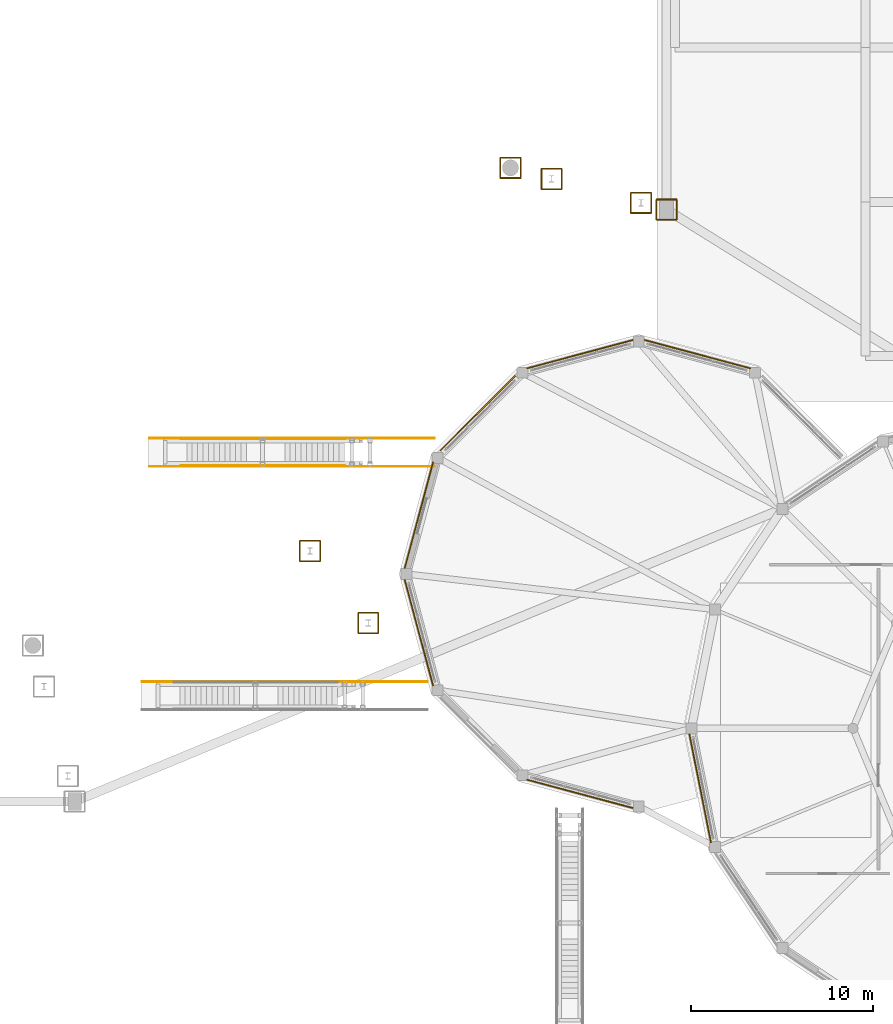
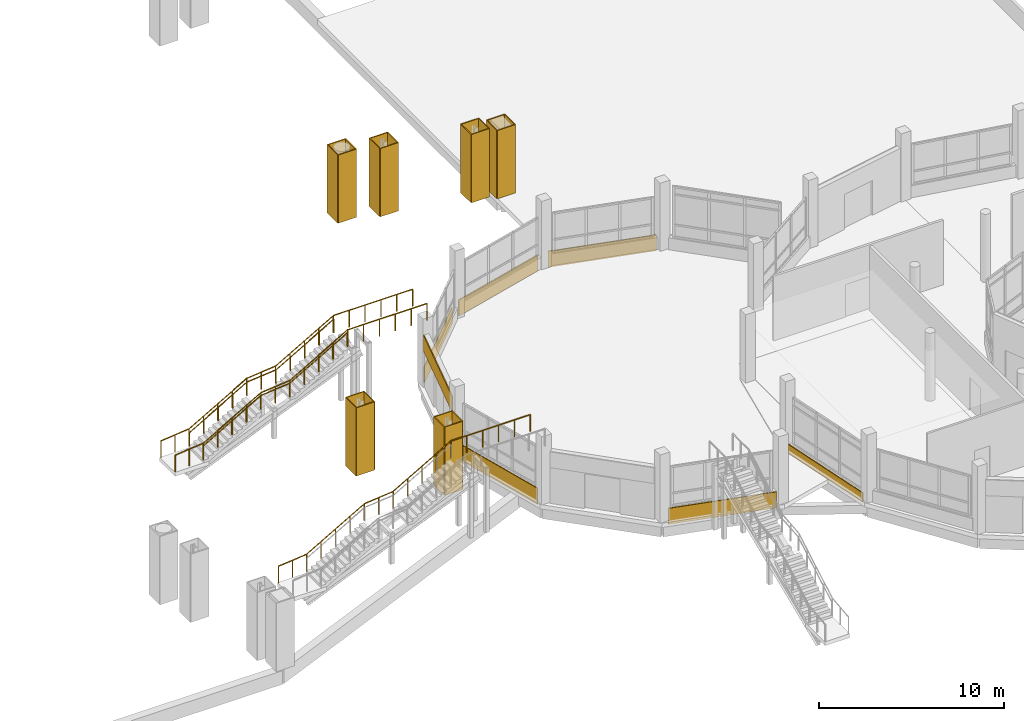
# One storey, part 120 of 129: 31 coverings, 5 railings.
"""IFC4 building model written with IfcOpenShell, lengths in metres."""

from ifc_helpers import new_model, si_unit, direction, frame, frame_2d, origin, origin_2d, place, context, subcontext, project, spatial, rectangle, circle, extrude, material, layer, layer_set, type_object, element, save


model = new_model("IFC4")

# Units and contexts
model_context = context("Model", 3, precision=1e-05, world=origin(), true_north=direction((0.0, 1.0)))
body_context = subcontext(model_context, "Body", "Model", "MODEL_VIEW")
ifc_project = project(units=[si_unit("LENGTHUNIT", "METRE"), si_unit("AREAUNIT", "SQUARE_METRE"), si_unit("VOLUMEUNIT", "CUBIC_METRE"), si_unit("PLANEANGLEUNIT", "RADIAN"), si_unit("MASSUNIT", "GRAM", prefix="KILO")], contexts=[model_context])

# Site, building, storey
site_placement = place(None, origin())
site = spatial("IfcSite", under=ifc_project, at=site_placement, CompositionType="ELEMENT")
building_placement = place(site_placement, origin())
building = spatial("IfcBuilding", under=site, at=building_placement, Name="Vespera Passage Community Centre", CompositionType="ELEMENT")
storey_placement = place(building_placement, origin())
storey = spatial("IfcBuildingStorey", under=building, at=storey_placement, Name="L00", CompositionType="ELEMENT", Elevation=0.0)

# Coverings
ifc_material_1 = material(Name="Precast concrete f'c 40 MPa", Category="concrete")
ifc_layer = layer(ifc_material_1, 0.06005859375)
ifc_layer_set = layer_set([ifc_layer], Name="Precast concrete f'c 40 MPa")
covering_type = type_object("IfcCoveringType", Name="COV-CLAD-60E", PredefinedType="CLADDING", material=ifc_layer_set)
for number, where, z_axis, x_axis, name in (
    (1, (105.539306640625, 30.240478515625, 0.0), (0.0, 0.0, 1.0), (1.0, 0.0, 0.0), "Pylon 20.6 TO L00 White Architectural Casing 1"),
    (2, (106.6591796875, 30.240478515625, 0.0), (0.0, 0.0, 1.0), (0.0, 1.0, 0.0), "Pylon 20.6 TO L00 White Architectural Casing 2"),
    (3, (106.6591796875, 31.3603515625, 0.0), (0.0, 0.0, 1.0), (-1.0, 0.0, 0.0), "Pylon 20.6 TO L00 White Architectural Casing 3"),
    (4, (105.539306640625, 31.3603515625, 0.0), (0.0, 0.0, 1.0), (0.0, -1.0, 0.0), "Pylon 20.6 TO L00 White Architectural Casing 4"),
):
    element("IfcCovering", number, at=place(storey_placement, frame(where, z_axis=z_axis, x_axis=x_axis)), inside=storey, type_object=covering_type, Name=name, PredefinedType="CLADDING", context=body_context, shape_type="SweptSolid", body=[
        extrude(rectangle(XDim=1.119873046875, YDim=0.06005859375, at=frame_2d((0.56005859375, 0.0))), origin(), (0.0, 0.0, 1.0), 4.5),
    ])
for number, where, z_axis, x_axis, name in (
    (5, (102.32958984375, 34.203857421875, 0.0), (0.0, 0.0, 1.0), (1.0, 0.0, 0.0), "Pylon 20.6 TI L00 White Architectural Casing 1"),
    (6, (103.44970703125, 34.203857421875, 0.0), (0.0, 0.0, 1.0), (0.0, 1.0, 0.0), "Pylon 20.6 TI L00 White Architectural Casing 2"),
    (7, (103.44970703125, 35.323974609375, 0.0), (0.0, 0.0, 1.0), (-1.0, 0.0, 0.0), "Pylon 20.6 TI L00 White Architectural Casing 3"),
    (8, (102.32958984375, 35.323974609375, 0.0), (0.0, 0.0, 1.0), (0.0, -1.0, 0.0), "Pylon 20.6 TI L00 White Architectural Casing 4"),
):
    element("IfcCovering", number, at=place(storey_placement, frame(where, z_axis=z_axis, x_axis=x_axis)), inside=storey, type_object=covering_type, Name=name, PredefinedType="CLADDING", context=body_context, shape_type="SweptSolid", body=[
        extrude(rectangle(XDim=1.1201171875, YDim=0.06005859375, at=frame_2d((0.56005859375, 0.0))), origin(), (0.0, 0.0, 1.0), 4.5),
    ])
covering_1_placement = place(storey_placement, frame((121.96923828125, 53.00830078125, 0.0), z_axis=(0.0, 0.0, 1.0), x_axis=(1.0, 0.0, 0.0)))
element("IfcCovering", 9, at=covering_1_placement, inside=storey, type_object=covering_type, Name="Pylon 23.0 O L00 White Architectural Casing 1", PredefinedType="CLADDING", context=body_context, shape_type="SweptSolid", body=[
    extrude(rectangle(XDim=1.119873046875, YDim=0.06005859375, at=frame_2d((0.56005859375, 0.0))), origin(), (0.0, 0.0, 1.0), 4.5),
])
covering_2_placement = place(storey_placement, frame((123.089111328125, 53.00830078125, 0.0), z_axis=(0.0, 0.0, 1.0), x_axis=(0.0, 1.0, 0.0)))
element("IfcCovering", 10, at=covering_2_placement, inside=storey, type_object=covering_type, Name="Pylon 23.0 O L00 White Architectural Casing 2", PredefinedType="CLADDING", context=body_context, shape_type="SweptSolid", body=[
    extrude(rectangle(XDim=1.1201171875, YDim=0.06005859375, at=frame_2d((0.56005859375, 0.0))), origin(), (0.0, 0.0, 1.0), 4.5),
])
covering_3_placement = place(storey_placement, frame((123.089111328125, 54.12841796875, 0.0), z_axis=(0.0, 0.0, 1.0), x_axis=(-1.0, 0.0, 0.0)))
element("IfcCovering", 11, at=covering_3_placement, inside=storey, type_object=covering_type, Name="Pylon 23.0 O L00 White Architectural Casing 3", PredefinedType="CLADDING", context=body_context, shape_type="SweptSolid", body=[
    extrude(rectangle(XDim=1.119873046875, YDim=0.06005859375, at=frame_2d((0.56005859375, 0.0))), origin(), (0.0, 0.0, 1.0), 4.5),
])
for number, where, z_axis, x_axis, name in (
    (12, (121.96923828125, 54.12841796875, 0.0), (0.0, 0.0, 1.0), (0.0, -1.0, 0.0), "Pylon 23.0 O L00 White Architectural Casing 4"),
    (13, (113.372314453125, 55.31201171875, 0.0), (0.0, 0.0, 1.0), (1.0, 0.0, 0.0), "Pylon 23.0 I L00 White Architectural Casing 1"),
):
    element("IfcCovering", number, at=place(storey_placement, frame(where, z_axis=z_axis, x_axis=x_axis)), inside=storey, type_object=covering_type, Name=name, PredefinedType="CLADDING", context=body_context, shape_type="SweptSolid", body=[
        extrude(rectangle(XDim=1.1201171875, YDim=0.06005859375, at=frame_2d((0.56005859375, 0.0))), origin(), (0.0, 0.0, 1.0), 4.5),
    ])
covering_4_placement = place(storey_placement, frame((114.492431640625, 55.31201171875, 0.0), z_axis=(0.0, 0.0, 1.0), x_axis=(0.0, 1.0, 0.0)))
element("IfcCovering", 14, at=covering_4_placement, inside=storey, type_object=covering_type, Name="Pylon 23.0 I L00 White Architectural Casing 2", PredefinedType="CLADDING", context=body_context, shape_type="SweptSolid", body=[
    extrude(rectangle(XDim=1.119873046875, YDim=0.06005859375, at=frame_2d((0.56005859375, 0.0))), origin(), (0.0, 0.0, 1.0), 4.5),
])
covering_5_placement = place(storey_placement, frame((114.492431640625, 56.431884765625, 0.0), z_axis=(0.0, 0.0, 1.0), x_axis=(-1.0, 0.0, 0.0)))
element("IfcCovering", 15, at=covering_5_placement, inside=storey, type_object=covering_type, Name="Pylon 23.0 I L00 White Architectural Casing 3", PredefinedType="CLADDING", context=body_context, shape_type="SweptSolid", body=[
    extrude(rectangle(XDim=1.1201171875, YDim=0.06005859375, at=frame_2d((0.56005859375, 0.0))), origin(), (0.0, 0.0, 1.0), 4.5),
])
covering_6_placement = place(storey_placement, frame((113.372314453125, 56.431884765625, 0.0), z_axis=(0.0, 0.0, 1.0), x_axis=(0.0, -1.0, 0.0)))
element("IfcCovering", 16, at=covering_6_placement, inside=storey, type_object=covering_type, Name="Pylon 23.0 I L00 White Architectural Casing 4", PredefinedType="CLADDING", context=body_context, shape_type="SweptSolid", body=[
    extrude(rectangle(XDim=1.119873046875, YDim=0.06005859375, at=frame_2d((0.56005859375, 0.0))), origin(), (0.0, 0.0, 1.0), 4.5),
])
covering_7_placement = place(storey_placement, frame((120.568603515625, 53.3837890625, 0.0), z_axis=(0.0, 0.0, 1.0), x_axis=(1.0, 0.0, 0.0)))
element("IfcCovering", 17, at=covering_7_placement, inside=storey, type_object=covering_type, Name="Pylon 23.0 TO L00 White Architectural Casing 1", PredefinedType="CLADDING", context=body_context, shape_type="SweptSolid", body=[
    extrude(rectangle(XDim=1.1201171875, YDim=0.06005859375, at=frame_2d((0.56005859375, 0.0))), origin(), (0.0, 0.0, 1.0), 4.5),
])
covering_8_placement = place(storey_placement, frame((121.688720703125, 53.3837890625, 0.0), z_axis=(0.0, 0.0, 1.0), x_axis=(0.0, 1.0, 0.0)))
element("IfcCovering", 18, at=covering_8_placement, inside=storey, type_object=covering_type, Name="Pylon 23.0 TO L00 White Architectural Casing 2", PredefinedType="CLADDING", context=body_context, shape_type="SweptSolid", body=[
    extrude(rectangle(XDim=1.119873046875, YDim=0.06005859375, at=frame_2d((0.56005859375, 0.0))), origin(), (0.0, 0.0, 1.0), 4.5),
])
covering_9_placement = place(storey_placement, frame((121.688720703125, 54.503662109375, 0.0), z_axis=(0.0, 0.0, 1.0), x_axis=(-1.0, 0.0, 0.0)))
element("IfcCovering", 19, at=covering_9_placement, inside=storey, type_object=covering_type, Name="Pylon 23.0 TO L00 White Architectural Casing 3", PredefinedType="CLADDING", context=body_context, shape_type="SweptSolid", body=[
    extrude(rectangle(XDim=1.1201171875, YDim=0.06005859375, at=frame_2d((0.56005859375, 0.0))), origin(), (0.0, 0.0, 1.0), 4.5),
])
covering_10_placement = place(storey_placement, frame((120.568603515625, 54.503662109375, 0.0), z_axis=(0.0, 0.0, 1.0), x_axis=(0.0, -1.0, 0.0)))
element("IfcCovering", 20, at=covering_10_placement, inside=storey, type_object=covering_type, Name="Pylon 23.0 TO L00 White Architectural Casing 4", PredefinedType="CLADDING", context=body_context, shape_type="SweptSolid", body=[
    extrude(rectangle(XDim=1.119873046875, YDim=0.06005859375, at=frame_2d((0.56005859375, 0.0))), origin(), (0.0, 0.0, 1.0), 4.5),
])
for number, where, z_axis, x_axis, name in (
    (21, (115.642333984375, 54.70361328125, 0.0), (0.0, 0.0, 1.0), (1.0, 0.0, 0.0), "Pylon 23.0 TI L00 White Architectural Casing 1"),
    (22, (116.762451171875, 54.70361328125, 0.0), (0.0, 0.0, 1.0), (0.0, 1.0, 0.0), "Pylon 23.0 TI L00 White Architectural Casing 2"),
    (23, (116.762451171875, 55.82373046875, 0.0), (0.0, 0.0, 1.0), (-1.0, 0.0, 0.0), "Pylon 23.0 TI L00 White Architectural Casing 3"),
    (24, (115.642333984375, 55.82373046875, 0.0), (0.0, 0.0, 1.0), (0.0, -1.0, 0.0), "Pylon 23.0 TI L00 White Architectural Casing 4"),
):
    element("IfcCovering", number, at=place(storey_placement, frame(where, z_axis=z_axis, x_axis=x_axis)), inside=storey, type_object=covering_type, Name=name, PredefinedType="CLADDING", context=body_context, shape_type="SweptSolid", body=[
        extrude(rectangle(XDim=1.1201171875, YDim=0.06005859375, at=frame_2d((0.56005859375, 0.0))), origin(), (0.0, 0.0, 1.0), 4.5),
    ])
covering_11_placement = place(storey_placement, frame((124.980224609375, 18.698486328125, -0.260009765625), z_axis=(0.0, 0.0, 1.0), x_axis=(-0.195101780047, 0.98078300119, 0.0)))
element("IfcCovering", 25, at=covering_11_placement, inside=storey, type_object=covering_type, Name="V3 L00 White Spandrel Band 9", PredefinedType="CLADDING", context=body_context, shape_type="SweptSolid", body=[
    extrude(rectangle(XDim=6.1103515625, YDim=0.06005859375, at=frame_2d((3.05517578125, 0.0))), origin(), (0.0, 0.0, 1.0), 0.610107421875),
])
for number, where, z_axis, x_axis, name in (
    (26, (121.31982421875, 46.390380859375, -0.280029296875), (0.0, 0.0, 1.0), (0.965923032946, -0.258829469776, 0.0), "V3A L00 Cafe White Spandrel Band 3"),
    (27, (114.831787109375, 44.8232421875, -0.280029296875), (0.0, 0.0, 1.0), (0.965923032946, 0.258829469776, 0.0), "V3A L00 Cafe White Spandrel Band 4"),
):
    element("IfcCovering", number, at=place(storey_placement, frame(where, z_axis=z_axis, x_axis=x_axis)), inside=storey, type_object=covering_type, Name=name, PredefinedType="CLADDING", context=body_context, shape_type="SweptSolid", body=[
        extrude(rectangle(XDim=6.0546875, YDim=0.06005859375, at=frame_2d((3.02734375, 0.0))), origin(), (0.0, 0.0, 1.0), 1.06005859375),
    ])
covering_12_placement = place(storey_placement, frame((110.076904296875, 40.302490234375, -0.280029296875), z_axis=(0.0, 0.0, 1.0), x_axis=(0.707106781187, 0.707106781187, 0.0)))
element("IfcCovering", 28, at=covering_12_placement, inside=storey, type_object=covering_type, Name="V3A L00 Cafe White Spandrel Band 5", PredefinedType="CLADDING", context=body_context, shape_type="SweptSolid", body=[
    extrude(rectangle(XDim=5.827392578125, YDim=0.06005859375, at=frame_2d((2.91357421875, 0.0))), origin(), (0.0, 0.0, 1.0), 1.06005859375),
])
covering_13_placement = place(storey_placement, frame((108.109619140625, 33.81982421875, 2.39990234375), z_axis=(0.0, 0.0, 1.0), x_axis=(0.258829469776, 0.965923032946, 0.0)))
element("IfcCovering", 29, at=covering_13_placement, inside=storey, type_object=covering_type, Name="V3A Cafe Portal White Fascia 6", PredefinedType="CLADDING", context=body_context, shape_type="SweptSolid", body=[
    extrude(rectangle(XDim=6.0546875, YDim=0.06005859375, at=frame_2d((3.02734375, 0.0))), origin(), (0.0, 0.0, 1.0), 1.03515625),
])
for number, where, z_axis, x_axis, name in (
    (30, (109.6767578125, 27.331787109375, -0.280029296875), (0.0, 0.0, 1.0), (-0.258829469776, 0.965923032946, 0.0), "V3A L00 Cafe White Spandrel Band 7"),
    (31, (120.68017578125, 20.609619140625, -0.280029296875), (0.0, 0.0, 1.0), (-0.965923032946, 0.258829469776, 0.0), "V3A L00 Cafe White Spandrel Band 9"),
):
    element("IfcCovering", number, at=place(storey_placement, frame(where, z_axis=z_axis, x_axis=x_axis)), inside=storey, type_object=covering_type, Name=name, PredefinedType="CLADDING", context=body_context, shape_type="SweptSolid", body=[
        extrude(rectangle(XDim=6.0546875, YDim=0.06005859375, at=frame_2d((3.02734375, 0.0))), origin(), (0.0, 0.0, 1.0), 1.06005859375),
    ])

# Railings
ifc_material_2 = material(Name="Steel ASTM A500 Grade C", Category="steel")
railing_type_1 = type_object("IfcRailingType", Name="RL-HAND-900I", PredefinedType="HANDRAIL", material=ifc_material_2)
railing_1_placement = place(storey_placement, frame((95.800048828125, 40.93505859375, 0.173095703125)))
element("IfcRailing", 32, at=railing_1_placement, inside=storey, type_object=railing_type_1, Name="ST-CRT-02 L Handrail", PredefinedType="HANDRAIL", context=body_context, shape_type="SweptSolid", body=[
    extrude(circle(Radius=0.02392578125, at=origin_2d()), frame((0.0, 0.0, 0.8759765625), z_axis=(0.866178740119, 0.0, 0.499734319579), x_axis=(0.0, 1.0, 0.0)), (0.0, 0.0, 1.0), 4.156005859375),
    extrude(circle(Radius=0.02392578125, at=origin_2d()), frame((3.599853515625, 0.0, 2.95263671875), z_axis=(0.995408287001, 0.0, 0.095720124167), x_axis=(0.0, 1.0, 0.0)), (0.0, 0.0, 1.0), 1.808349609375),
    extrude(circle(Radius=0.02392578125, at=origin_2d()), frame((5.39990234375, 0.0, 3.1259765625), z_axis=(0.866193409371, 0.0, 0.499708892819), x_axis=(0.0, 1.0, 0.0)), (0.0, 0.0, 1.0), 4.15625),
    extrude(circle(Radius=0.02099609375, at=origin_2d()), origin(), (0.0, 0.0, 1.0), 0.851806640625),
    extrude(circle(Radius=0.02099609375, at=origin_2d()), frame((0.89990234375, 0.0, 0.519287109375)), (0.0, 0.0, 1.0), 0.851806640625),
    extrude(circle(Radius=0.02099609375, at=origin_2d()), frame((1.7998046875, 0.0, 1.03857421875)), (0.0, 0.0, 1.0), 0.851806640625),
    extrude(circle(Radius=0.02099609375, at=origin_2d()), frame((2.699951171875, 0.0, 1.5576171875)), (0.0, 0.0, 1.0), 0.851806640625),
    extrude(circle(Radius=0.02099609375, at=origin_2d()), frame((3.599853515625, 0.0, 2.076904296875)), (0.0, 0.0, 1.0), 0.851806640625),
    extrude(circle(Radius=0.02099609375, at=origin_2d()), frame((4.5, 0.0, 2.16357421875)), (0.0, 0.0, 1.0), 0.851806640625),
    extrude(circle(Radius=0.02099609375, at=origin_2d()), frame((5.39990234375, 0.0, 2.25)), (0.0, 0.0, 1.0), 0.851806640625),
    extrude(circle(Radius=0.02099609375, at=origin_2d()), frame((6.2998046875, 0.0, 2.769287109375)), (0.0, 0.0, 1.0), 0.851806640625),
    extrude(circle(Radius=0.02099609375, at=origin_2d()), frame((7.199951171875, 0.0, 3.28857421875)), (0.0, 0.0, 1.0), 0.851806640625),
    extrude(circle(Radius=0.02099609375, at=origin_2d()), frame((8.10009765625, 0.0, 3.8076171875)), (0.0, 0.0, 1.0), 0.851806640625),
    extrude(circle(Radius=0.02099609375, at=origin_2d()), frame((9.0, 0.0, 4.326904296875)), (0.0, 0.0, 1.0), 0.851806640625),
])
railing_2_placement = place(storey_placement, frame((95.800048828125, 39.465087890625, 0.173095703125)))
element("IfcRailing", 33, at=railing_2_placement, inside=storey, type_object=railing_type_1, Name="ST-CRT-02 R Handrail", PredefinedType="HANDRAIL", context=body_context, shape_type="SweptSolid", body=[
    extrude(circle(Radius=0.02392578125, at=origin_2d()), frame((0.0, 0.0, 0.8759765625), z_axis=(0.866178740119, 0.0, 0.499734319579), x_axis=(0.0, 1.0, 0.0)), (0.0, 0.0, 1.0), 4.156005859375),
    extrude(circle(Radius=0.02392578125, at=origin_2d()), frame((3.599853515625, 0.0, 2.95263671875), z_axis=(0.995408287001, 0.0, 0.095720124167), x_axis=(0.0, 1.0, 0.0)), (0.0, 0.0, 1.0), 1.808349609375),
    extrude(circle(Radius=0.02392578125, at=origin_2d()), frame((5.39990234375, 0.0, 3.1259765625), z_axis=(0.866193409371, 0.0, 0.499708892819), x_axis=(0.0, 1.0, 0.0)), (0.0, 0.0, 1.0), 4.15625),
    extrude(circle(Radius=0.02099609375, at=origin_2d()), origin(), (0.0, 0.0, 1.0), 0.851806640625),
    extrude(circle(Radius=0.02099609375, at=origin_2d()), frame((0.89990234375, 0.0, 0.519287109375)), (0.0, 0.0, 1.0), 0.851806640625),
    extrude(circle(Radius=0.02099609375, at=origin_2d()), frame((1.7998046875, 0.0, 1.03857421875)), (0.0, 0.0, 1.0), 0.851806640625),
    extrude(circle(Radius=0.02099609375, at=origin_2d()), frame((2.699951171875, 0.0, 1.5576171875)), (0.0, 0.0, 1.0), 0.851806640625),
    extrude(circle(Radius=0.02099609375, at=origin_2d()), frame((3.599853515625, 0.0, 2.076904296875)), (0.0, 0.0, 1.0), 0.851806640625),
    extrude(circle(Radius=0.02099609375, at=origin_2d()), frame((4.5, 0.0, 2.16357421875)), (0.0, 0.0, 1.0), 0.851806640625),
    extrude(circle(Radius=0.02099609375, at=origin_2d()), frame((5.39990234375, 0.0, 2.25)), (0.0, 0.0, 1.0), 0.851806640625),
    extrude(circle(Radius=0.02099609375, at=origin_2d()), frame((6.2998046875, 0.0, 2.769287109375)), (0.0, 0.0, 1.0), 0.851806640625),
    extrude(circle(Radius=0.02099609375, at=origin_2d()), frame((7.199951171875, 0.0, 3.28857421875)), (0.0, 0.0, 1.0), 0.851806640625),
    extrude(circle(Radius=0.02099609375, at=origin_2d()), frame((8.10009765625, 0.0, 3.8076171875)), (0.0, 0.0, 1.0), 0.851806640625),
    extrude(circle(Radius=0.02099609375, at=origin_2d()), frame((9.0, 0.0, 4.326904296875)), (0.0, 0.0, 1.0), 0.851806640625),
])
ifc_material_3 = material(Name="Steel ASTM A500 Grade C", Category="steel")
railing_type_2 = type_object("IfcRailingType", Name="RL-STAIR-1100I", PredefinedType="GUARDRAIL", material=ifc_material_3)
railing_3_placement = place(storey_placement, frame((93.64990234375, 27.574951171875, 0.0)))
element("IfcRailing", 34, at=railing_3_placement, inside=storey, type_object=railing_type_2, Name="ST-CRT-01 L Guard", PredefinedType="GUARDRAIL", context=body_context, shape_type="SweptSolid", body=[
    extrude(circle(Radius=0.02392578125, at=origin_2d()), frame((0.0, 0.0, 1.09619140625), z_axis=(0.995143828942, 0.0, 0.098431497589), x_axis=(0.0, 1.0, 0.0)), (0.0, 0.0, 1.0), 1.758544921875),
    extrude(circle(Radius=0.02392578125, at=origin_2d()), frame((1.75, 0.0, 1.26904296875), z_axis=(0.866193409371, 0.0, 0.499708892819), x_axis=(0.0, 1.0, 0.0)), (0.0, 0.0, 1.0), 4.15625),
    extrude(circle(Radius=0.02392578125, at=origin_2d()), frame((5.35009765625, 0.0, 3.34619140625), z_axis=(0.995408287001, 0.0, 0.095720124167), x_axis=(0.0, 1.0, 0.0)), (0.0, 0.0, 1.0), 1.808349609375),
    extrude(circle(Radius=0.02392578125, at=origin_2d()), frame((7.150146484375, 0.0, 3.51904296875), z_axis=(0.866178740119, 0.0, 0.499734319579), x_axis=(0.0, 1.0, 0.0)), (0.0, 0.0, 1.0), 4.156005859375),
    extrude(circle(Radius=0.02392578125, at=origin_2d()), frame((10.75, 0.0, 5.59619140625), z_axis=(1.0, 0.0, 0.0), x_axis=(0.0, 1.0, 0.0)), (0.0, 0.0, 1.0), 4.9501953125),
    extrude(circle(Radius=0.02099609375, at=origin_2d()), origin(), (0.0, 0.0, 1.0), 1.072021484375),
    extrude(circle(Radius=0.02099609375, at=origin_2d()), frame((0.875, 0.0, 0.08642578125)), (0.0, 0.0, 1.0), 1.072021484375),
    extrude(circle(Radius=0.02099609375, at=origin_2d()), frame((1.75, 0.0, 0.173095703125)), (0.0, 0.0, 1.0), 1.072021484375),
    extrude(circle(Radius=0.02099609375, at=origin_2d()), frame((2.64990234375, 0.0, 0.6923828125)), (0.0, 0.0, 1.0), 1.072021484375),
    extrude(circle(Radius=0.02099609375, at=origin_2d()), frame((3.550048828125, 0.0, 1.21142578125)), (0.0, 0.0, 1.0), 1.072021484375),
    extrude(circle(Radius=0.02099609375, at=origin_2d()), frame((4.4501953125, 0.0, 1.730712890625)), (0.0, 0.0, 1.0), 1.072021484375),
    extrude(circle(Radius=0.02099609375, at=origin_2d()), frame((5.35009765625, 0.0, 2.25)), (0.0, 0.0, 1.0), 1.072021484375),
    extrude(circle(Radius=0.02099609375, at=origin_2d()), frame((6.25, 0.0, 2.33642578125)), (0.0, 0.0, 1.0), 1.072021484375),
    extrude(circle(Radius=0.02099609375, at=origin_2d()), frame((7.150146484375, 0.0, 2.423095703125)), (0.0, 0.0, 1.0), 1.072021484375),
    extrude(circle(Radius=0.02099609375, at=origin_2d()), frame((8.050048828125, 0.0, 2.9423828125)), (0.0, 0.0, 1.0), 1.072021484375),
    extrude(circle(Radius=0.02099609375, at=origin_2d()), frame((8.9501953125, 0.0, 3.46142578125)), (0.0, 0.0, 1.0), 1.072021484375),
    extrude(circle(Radius=0.02099609375, at=origin_2d()), frame((9.85009765625, 0.0, 3.980712890625)), (0.0, 0.0, 1.0), 1.072021484375),
    extrude(circle(Radius=0.02099609375, at=origin_2d()), frame((10.75, 0.0, 4.5)), (0.0, 0.0, 1.0), 1.072021484375),
    extrude(circle(Radius=0.02099609375, at=origin_2d()), frame((11.739990234375, 0.0, 4.5)), (0.0, 0.0, 1.0), 1.072021484375),
    extrude(circle(Radius=0.02099609375, at=origin_2d()), frame((12.72998046875, 0.0, 4.5)), (0.0, 0.0, 1.0), 1.072021484375),
    extrude(circle(Radius=0.02099609375, at=origin_2d()), frame((13.72021484375, 0.0, 4.5)), (0.0, 0.0, 1.0), 1.072021484375),
    extrude(circle(Radius=0.02099609375, at=origin_2d()), frame((14.710205078125, 0.0, 4.5)), (0.0, 0.0, 1.0), 1.072021484375),
    extrude(circle(Radius=0.02099609375, at=origin_2d()), frame((15.7001953125, 0.0, 4.5)), (0.0, 0.0, 1.0), 1.072021484375),
])
railing_4_placement = place(storey_placement, frame((94.050048828125, 40.97509765625, 0.0)))
element("IfcRailing", 35, at=railing_4_placement, inside=storey, type_object=railing_type_2, Name="ST-CRT-02 L Guard", PredefinedType="GUARDRAIL", context=body_context, shape_type="SweptSolid", body=[
    extrude(circle(Radius=0.02392578125, at=origin_2d()), frame((0.0, 0.0, 1.09619140625), z_axis=(0.995143828942, 0.0, 0.098431497589), x_axis=(0.0, 1.0, 0.0)), (0.0, 0.0, 1.0), 1.758544921875),
    extrude(circle(Radius=0.02392578125, at=origin_2d()), frame((1.75, 0.0, 1.26904296875), z_axis=(0.866178740119, 0.0, 0.499734319579), x_axis=(0.0, 1.0, 0.0)), (0.0, 0.0, 1.0), 4.156005859375),
    extrude(circle(Radius=0.02392578125, at=origin_2d()), frame((5.349853515625, 0.0, 3.34619140625), z_axis=(0.995408287001, 0.0, 0.095720124167), x_axis=(0.0, 1.0, 0.0)), (0.0, 0.0, 1.0), 1.808349609375),
    extrude(circle(Radius=0.02392578125, at=origin_2d()), frame((7.14990234375, 0.0, 3.51904296875), z_axis=(0.866193409371, 0.0, 0.499708892819), x_axis=(0.0, 1.0, 0.0)), (0.0, 0.0, 1.0), 4.15625),
    extrude(circle(Radius=0.02392578125, at=origin_2d()), frame((10.75, 0.0, 5.59619140625), z_axis=(1.0, 0.0, 0.0), x_axis=(0.0, 1.0, 0.0)), (0.0, 0.0, 1.0), 4.949951171875),
    extrude(circle(Radius=0.02099609375, at=origin_2d()), origin(), (0.0, 0.0, 1.0), 1.072021484375),
    extrude(circle(Radius=0.02099609375, at=origin_2d()), frame((0.875, 0.0, 0.08642578125)), (0.0, 0.0, 1.0), 1.072021484375),
    extrude(circle(Radius=0.02099609375, at=origin_2d()), frame((1.75, 0.0, 0.173095703125)), (0.0, 0.0, 1.0), 1.072021484375),
    extrude(circle(Radius=0.02099609375, at=origin_2d()), frame((2.64990234375, 0.0, 0.6923828125)), (0.0, 0.0, 1.0), 1.072021484375),
    extrude(circle(Radius=0.02099609375, at=origin_2d()), frame((3.5498046875, 0.0, 1.21142578125)), (0.0, 0.0, 1.0), 1.072021484375),
    extrude(circle(Radius=0.02099609375, at=origin_2d()), frame((4.449951171875, 0.0, 1.730712890625)), (0.0, 0.0, 1.0), 1.072021484375),
    extrude(circle(Radius=0.02099609375, at=origin_2d()), frame((5.349853515625, 0.0, 2.25)), (0.0, 0.0, 1.0), 1.072021484375),
    extrude(circle(Radius=0.02099609375, at=origin_2d()), frame((6.25, 0.0, 2.33642578125)), (0.0, 0.0, 1.0), 1.072021484375),
    extrude(circle(Radius=0.02099609375, at=origin_2d()), frame((7.14990234375, 0.0, 2.423095703125)), (0.0, 0.0, 1.0), 1.072021484375),
    extrude(circle(Radius=0.02099609375, at=origin_2d()), frame((8.0498046875, 0.0, 2.9423828125)), (0.0, 0.0, 1.0), 1.072021484375),
    extrude(circle(Radius=0.02099609375, at=origin_2d()), frame((8.949951171875, 0.0, 3.46142578125)), (0.0, 0.0, 1.0), 1.072021484375),
    extrude(circle(Radius=0.02099609375, at=origin_2d()), frame((9.85009765625, 0.0, 3.980712890625)), (0.0, 0.0, 1.0), 1.072021484375),
    extrude(circle(Radius=0.02099609375, at=origin_2d()), frame((10.75, 0.0, 4.5)), (0.0, 0.0, 1.0), 1.072021484375),
    extrude(circle(Radius=0.02099609375, at=origin_2d()), frame((11.739990234375, 0.0, 4.5)), (0.0, 0.0, 1.0), 1.072021484375),
    extrude(circle(Radius=0.02099609375, at=origin_2d()), frame((12.72998046875, 0.0, 4.5)), (0.0, 0.0, 1.0), 1.072021484375),
    extrude(circle(Radius=0.02099609375, at=origin_2d()), frame((13.719970703125, 0.0, 4.5)), (0.0, 0.0, 1.0), 1.072021484375),
    extrude(circle(Radius=0.02099609375, at=origin_2d()), frame((14.7099609375, 0.0, 4.5)), (0.0, 0.0, 1.0), 1.072021484375),
    extrude(circle(Radius=0.02099609375, at=origin_2d()), frame((15.699951171875, 0.0, 4.5)), (0.0, 0.0, 1.0), 1.072021484375),
])
railing_5_placement = place(storey_placement, frame((94.050048828125, 39.425048828125, 0.0)))
element("IfcRailing", 36, at=railing_5_placement, inside=storey, type_object=railing_type_2, Name="ST-CRT-02 R Guard", PredefinedType="GUARDRAIL", context=body_context, shape_type="SweptSolid", body=[
    extrude(circle(Radius=0.02392578125, at=origin_2d()), frame((0.0, 0.0, 1.09619140625), z_axis=(0.995143828942, 0.0, 0.098431497589), x_axis=(0.0, 1.0, 0.0)), (0.0, 0.0, 1.0), 1.758544921875),
    extrude(circle(Radius=0.02392578125, at=origin_2d()), frame((1.75, 0.0, 1.26904296875), z_axis=(0.866178740119, 0.0, 0.499734319579), x_axis=(0.0, 1.0, 0.0)), (0.0, 0.0, 1.0), 4.156005859375),
    extrude(circle(Radius=0.02392578125, at=origin_2d()), frame((5.349853515625, 0.0, 3.34619140625), z_axis=(0.995408287001, 0.0, 0.095720124167), x_axis=(0.0, 1.0, 0.0)), (0.0, 0.0, 1.0), 1.808349609375),
    extrude(circle(Radius=0.02392578125, at=origin_2d()), frame((7.14990234375, 0.0, 3.51904296875), z_axis=(0.866193409371, 0.0, 0.499708892819), x_axis=(0.0, 1.0, 0.0)), (0.0, 0.0, 1.0), 4.15625),
    extrude(circle(Radius=0.02392578125, at=origin_2d()), frame((10.75, 0.0, 5.59619140625), z_axis=(1.0, 0.0, 0.0), x_axis=(0.0, 1.0, 0.0)), (0.0, 0.0, 1.0), 4.949951171875),
    extrude(circle(Radius=0.02099609375, at=origin_2d()), origin(), (0.0, 0.0, 1.0), 1.072021484375),
    extrude(circle(Radius=0.02099609375, at=origin_2d()), frame((0.875, 0.0, 0.08642578125)), (0.0, 0.0, 1.0), 1.072021484375),
    extrude(circle(Radius=0.02099609375, at=origin_2d()), frame((1.75, 0.0, 0.173095703125)), (0.0, 0.0, 1.0), 1.072021484375),
    extrude(circle(Radius=0.02099609375, at=origin_2d()), frame((2.64990234375, 0.0, 0.6923828125)), (0.0, 0.0, 1.0), 1.072021484375),
    extrude(circle(Radius=0.02099609375, at=origin_2d()), frame((3.5498046875, 0.0, 1.21142578125)), (0.0, 0.0, 1.0), 1.072021484375),
    extrude(circle(Radius=0.02099609375, at=origin_2d()), frame((4.449951171875, 0.0, 1.730712890625)), (0.0, 0.0, 1.0), 1.072021484375),
    extrude(circle(Radius=0.02099609375, at=origin_2d()), frame((5.349853515625, 0.0, 2.25)), (0.0, 0.0, 1.0), 1.072021484375),
    extrude(circle(Radius=0.02099609375, at=origin_2d()), frame((6.25, 0.0, 2.33642578125)), (0.0, 0.0, 1.0), 1.072021484375),
    extrude(circle(Radius=0.02099609375, at=origin_2d()), frame((7.14990234375, 0.0, 2.423095703125)), (0.0, 0.0, 1.0), 1.072021484375),
    extrude(circle(Radius=0.02099609375, at=origin_2d()), frame((8.0498046875, 0.0, 2.9423828125)), (0.0, 0.0, 1.0), 1.072021484375),
    extrude(circle(Radius=0.02099609375, at=origin_2d()), frame((8.949951171875, 0.0, 3.46142578125)), (0.0, 0.0, 1.0), 1.072021484375),
    extrude(circle(Radius=0.02099609375, at=origin_2d()), frame((9.85009765625, 0.0, 3.980712890625)), (0.0, 0.0, 1.0), 1.072021484375),
    extrude(circle(Radius=0.02099609375, at=origin_2d()), frame((10.75, 0.0, 4.5)), (0.0, 0.0, 1.0), 1.072021484375),
    extrude(circle(Radius=0.02099609375, at=origin_2d()), frame((11.739990234375, 0.0, 4.5)), (0.0, 0.0, 1.0), 1.072021484375),
    extrude(circle(Radius=0.02099609375, at=origin_2d()), frame((12.72998046875, 0.0, 4.5)), (0.0, 0.0, 1.0), 1.072021484375),
    extrude(circle(Radius=0.02099609375, at=origin_2d()), frame((13.719970703125, 0.0, 4.5)), (0.0, 0.0, 1.0), 1.072021484375),
    extrude(circle(Radius=0.02099609375, at=origin_2d()), frame((14.7099609375, 0.0, 4.5)), (0.0, 0.0, 1.0), 1.072021484375),
    extrude(circle(Radius=0.02099609375, at=origin_2d()), frame((15.699951171875, 0.0, 4.5)), (0.0, 0.0, 1.0), 1.072021484375),
])

save(model, "model.ifc")
